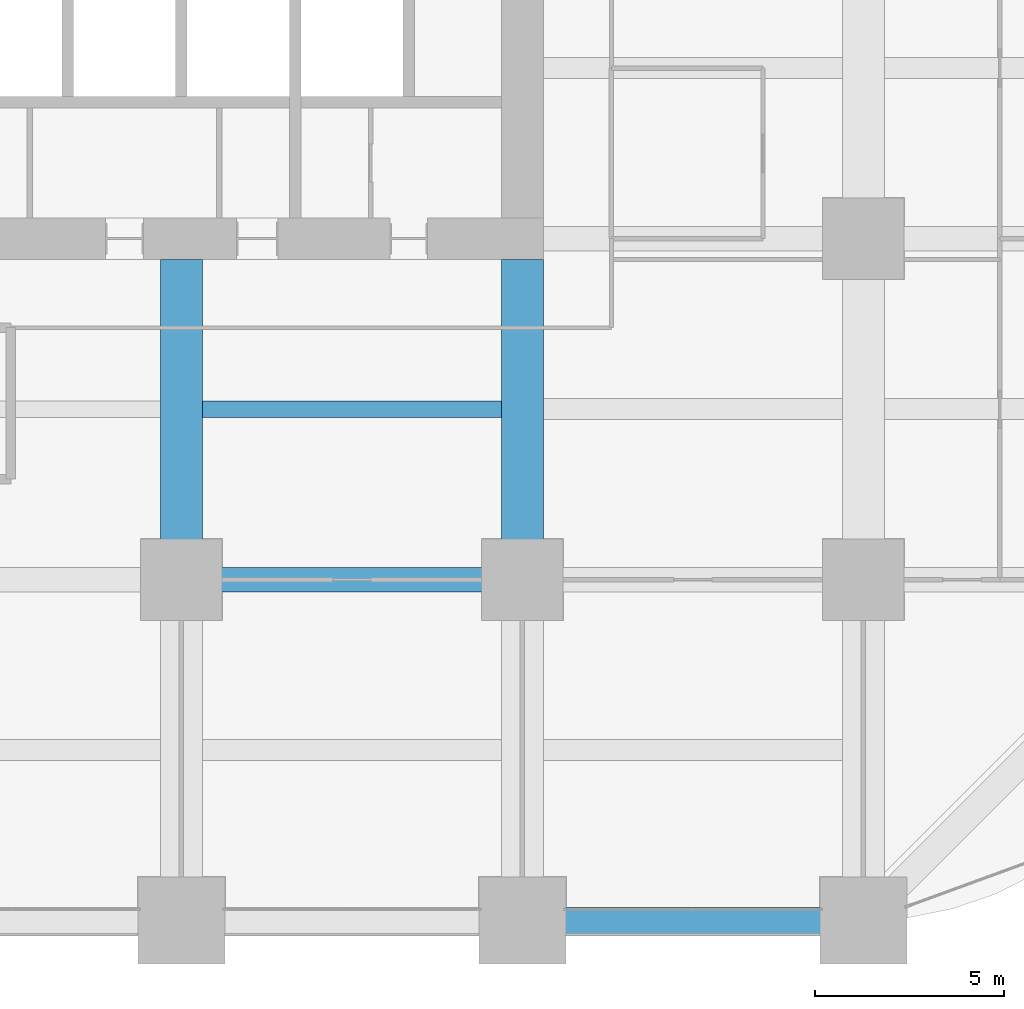
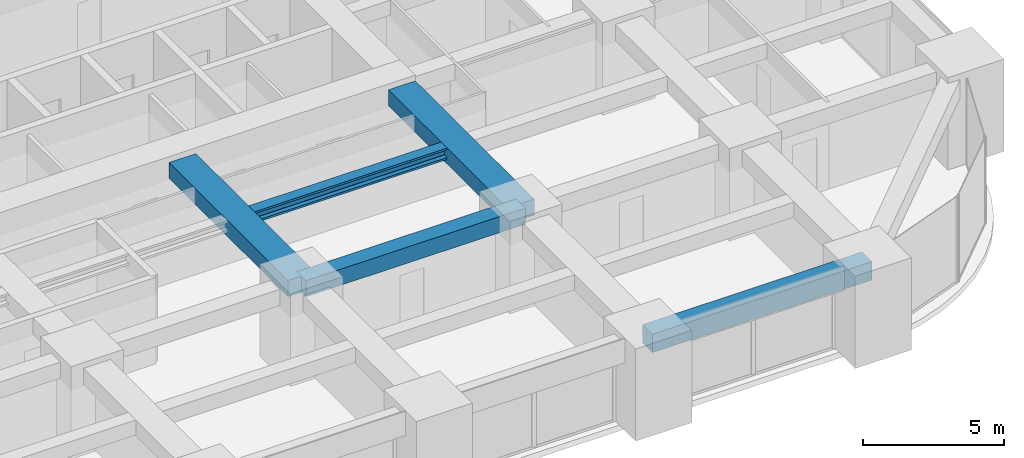
# One storey, part 14 of 44: 5 beams.
"""IFC4 building model written with IfcOpenShell, lengths in metres."""

from ifc_helpers import new_model, si_unit, direction, frame, origin, origin_2d, place, context, subcontext, project, spatial, rectangle, i_section, extrude, material, material_profile, profile_set, type_object, element, save


model = new_model("IFC4")

# Units and contexts
model_context = context("Model", 3, precision=1e-05, world=origin(), true_north=direction((0.0, 1.0)))
body_context = subcontext(model_context, "Body", "Model", "MODEL_VIEW")
ifc_project = project(units=[si_unit("LENGTHUNIT", "METRE"), si_unit("AREAUNIT", "SQUARE_METRE"), si_unit("VOLUMEUNIT", "CUBIC_METRE"), si_unit("PLANEANGLEUNIT", "RADIAN"), si_unit("MASSUNIT", "GRAM", prefix="KILO")], contexts=[model_context])

# Site, building, storey
site_placement = place(None, origin())
site = spatial("IfcSite", under=ifc_project, at=site_placement, CompositionType="ELEMENT")
building_placement = place(site_placement, origin())
building = spatial("IfcBuilding", under=site, at=building_placement, Name="Zorevar Civic Tower", CompositionType="ELEMENT")
storey_placement = place(building_placement, frame((0.0, 0.0, 55.800048828125)))
storey = spatial("IfcBuildingStorey", under=building, at=storey_placement, Name="L13", CompositionType="ELEMENT", Elevation=55.800048828125)

# Beams
ifc_material_1 = material(Name="Concrete C50/60", Category="concrete")
ifc_material_profile_1 = material_profile(ifc_material_1, rectangle(XDim=1.10009765625, YDim=0.699951171875, at=origin_2d()), Name="RC 1100x700")
ifc_profile_set_1 = profile_set([ifc_material_profile_1], Name="Concrete C50/60")
beam_type_1 = type_object("IfcBeamType", Name="Beam RC 1100x700", PredefinedType="BEAM", material=ifc_profile_set_1)
for number, where, z_axis, x_axis, name in (
    (1, (36.0, 9.0, 3.39990234375), (0.0, 1.0, 0.0), (-1.0, 0.0, 0.0), "Girder L14"),
    (2, (45.0, 9.0, 3.39990234375), (0.0, 1.0, 0.0), (-1.0, 0.0, 0.0), "Girder L14"),
):
    element("IfcBeam", number, at=place(storey_placement, frame(where, z_axis=z_axis, x_axis=x_axis)), inside=storey, type_object=beam_type_1, Name=name, PredefinedType="BEAM", context=body_context, shape_type="SweptSolid", body=[
        extrude(rectangle(XDim=1.10009765625, YDim=0.699951171875, at=origin_2d()), origin(), (0.0, 0.0, 1.0), 8.449951171875),
    ])
ifc_material_2 = material(Name="Concrete C50/60", Category="concrete")
ifc_material_profile_2 = material_profile(ifc_material_2, rectangle(XDim=0.64990234375, YDim=0.699951171875, at=origin_2d()), Name="RC 650x700")
ifc_profile_set_2 = profile_set([ifc_material_profile_2], Name="Concrete C50/60")
beam_type_2 = type_object("IfcBeamType", Name="Beam RC 650x700", PredefinedType="BEAM", material=ifc_profile_set_2)
beam_1_placement = place(storey_placement, frame((36.0, 9.0, 3.39990234375), z_axis=(1.0, 0.0, 0.0), x_axis=(0.0, 1.0, 0.0)))
element("IfcBeam", 3, at=beam_1_placement, inside=storey, type_object=beam_type_2, Name="Girder L14", PredefinedType="BEAM", context=body_context, shape_type="SweptSolid", body=[
    extrude(rectangle(XDim=0.64990234375, YDim=0.699951171875, at=origin_2d()), origin(), (0.0, 0.0, 1.0), 9.0),
])
ifc_material_3 = material(Name="Steel S460M (HISTAR 460)", Category="steel")
ifc_material_profile_3 = material_profile(ifc_material_3, i_section(OverallWidth=0.431884765625, OverallDepth=0.498046875, WebThickness=0.0556640625, FlangeThickness=0.0888671875, FilletRadius=0.014892578125, at=origin_2d()), Name="HD 400x744")
ifc_profile_set_3 = profile_set([ifc_material_profile_3], Name="Steel S460M (HISTAR 460)")
beam_type_3 = type_object("IfcBeamType", Name="Core bay beam HD 400x744", PredefinedType="BEAM", material=ifc_profile_set_3)
beam_2_placement = place(storey_placement, frame((36.550048828125, 13.5, 3.5009765625), z_axis=(1.0, 0.0, 0.0), x_axis=(0.0, 1.0, 0.0)))
element("IfcBeam", 4, at=beam_2_placement, inside=storey, type_object=beam_type_3, Name="Secondary beam L14", PredefinedType="BEAM", context=body_context, shape_type="SweptSolid", body=[
    extrude(i_section(OverallWidth=0.431884765625, OverallDepth=0.498046875, WebThickness=0.0556640625, FlangeThickness=0.0888671875, FilletRadius=0.014892578125, at=origin_2d()), origin(), (0.0, 0.0, 1.0), 7.89990234375),
])
ifc_material_4 = material(Name="Concrete C50/60", Category="concrete")
ifc_material_profile_4 = material_profile(ifc_material_4, rectangle(XDim=0.699951171875, YDim=0.800048828125, at=origin_2d()), Name="RC 700x800")
ifc_profile_set_4 = profile_set([ifc_material_profile_4], Name="Concrete C50/60")
beam_type_4 = type_object("IfcBeamType", Name="Edge beam RC 700x800", PredefinedType="SPANDREL", material=ifc_profile_set_4)
beam_3_placement = place(storey_placement, frame((45.0, 0.0, 3.349853515625), z_axis=(1.0, 0.0, 0.0), x_axis=(0.0, 1.0, 0.0)))
element("IfcBeam", 5, at=beam_3_placement, inside=storey, type_object=beam_type_4, Name="Edge beam L14", PredefinedType="SPANDREL", context=body_context, shape_type="SweptSolid", body=[
    extrude(rectangle(XDim=0.699951171875, YDim=0.800048828125, at=origin_2d()), origin(), (0.0, 0.0, 1.0), 9.0),
])

save(model, "model.ifc")
